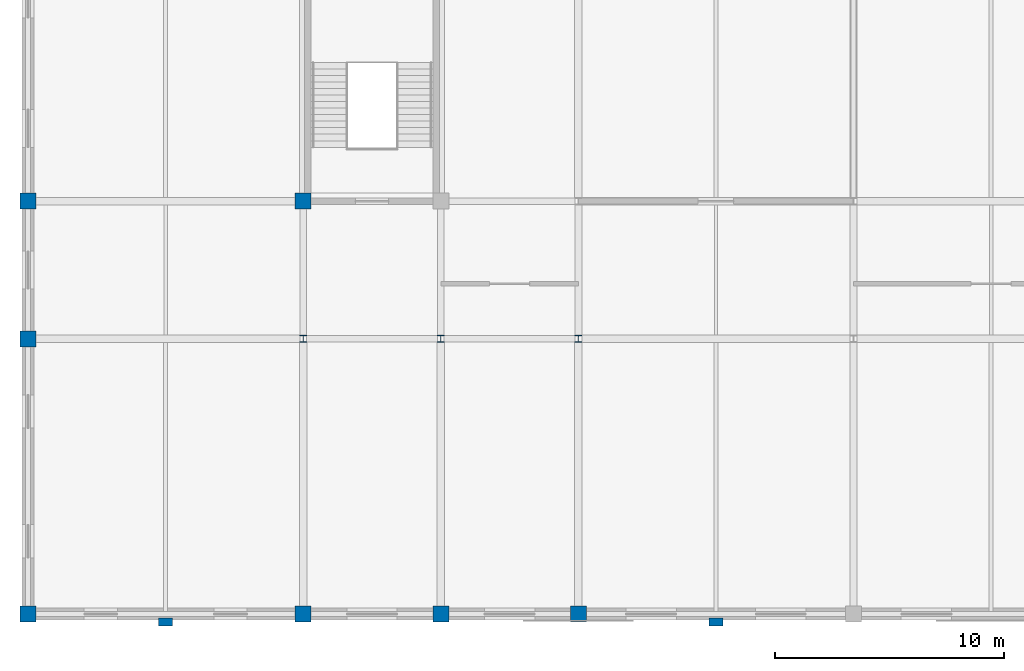
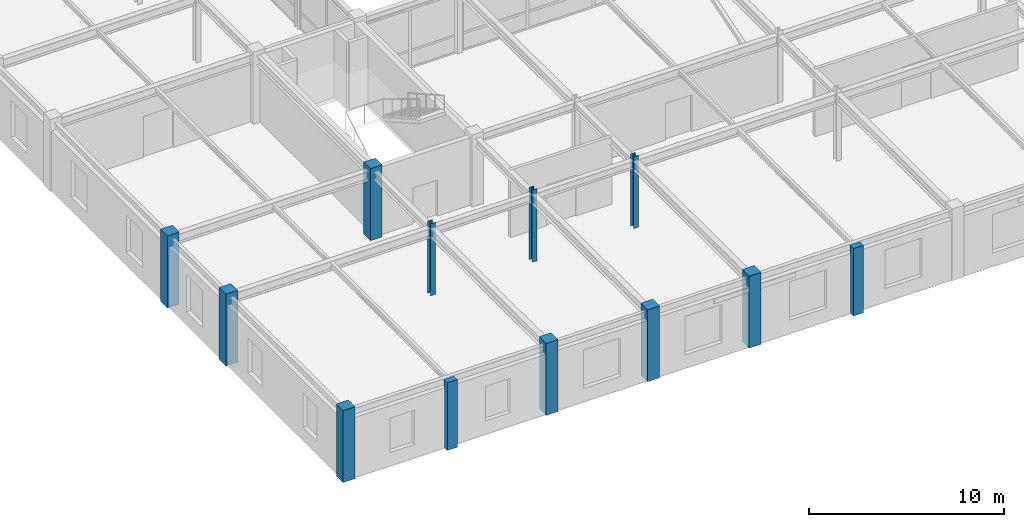
# One storey, part 1 of 108: 12 columns.
"""IFC4 building model written with IfcOpenShell, lengths in metres."""

from ifc_helpers import new_model, si_unit, direction, frame, origin, origin_2d, place, context, subcontext, project, spatial, rectangle, i_section, extrude, material, material_profile, profile_set, type_object, element, save


model = new_model("IFC4")

# Units and contexts
model_context = context("Model", 3, precision=1e-05, world=origin(), true_north=direction((0.0, 1.0)))
body_context = subcontext(model_context, "Body", "Model", "MODEL_VIEW")
ifc_project = project(units=[si_unit("LENGTHUNIT", "METRE"), si_unit("AREAUNIT", "SQUARE_METRE"), si_unit("VOLUMEUNIT", "CUBIC_METRE"), si_unit("PLANEANGLEUNIT", "RADIAN"), si_unit("MASSUNIT", "GRAM", prefix="KILO")], contexts=[model_context])

# Site, building, storey
site_placement = place(None, origin())
site = spatial("IfcSite", under=ifc_project, at=site_placement, CompositionType="ELEMENT")
building_placement = place(site_placement, origin())
building = spatial("IfcBuilding", under=site, at=building_placement, Name="Zlatovratsky Civic Hall", CompositionType="ELEMENT")
storey_placement = place(building_placement, frame((0.0, 0.0, 12.0)))
storey = spatial("IfcBuildingStorey", under=building, at=storey_placement, Name="L03", CompositionType="ELEMENT", Elevation=12.0)

# Columns
ifc_material_1 = material(Name="Concrete C35/45 (B40)", Category="concrete")
ifc_material_profile_1 = material_profile(ifc_material_1, rectangle(XDim=0.699951171875, YDim=0.699951171875, at=origin_2d()), Name="RC 700x700")
ifc_profile_set_1 = profile_set([ifc_material_profile_1], Name="Concrete C35/45 (B40)")
column_type_1 = type_object("IfcColumnType", Name="Col_CorePier_RC700", PredefinedType="COLUMN", material=ifc_profile_set_1)
for number, where, z_axis, x_axis, name in (
    (1, (0.0, 0.0, 0.0), (0.0, 0.0, 1.0), (1.0, 0.0, 0.0), "CL-1189"),
    (2, (12.0, 0.0, 0.0), (0.0, 0.0, 1.0), (1.0, 0.0, 0.0), "CL-1190"),
    (3, (18.0, 0.0, 0.0), (0.0, 0.0, 1.0), (1.0, 0.0, 0.0), "CL-1191"),
    (4, (24.0, 0.0, 0.0), (0.0, 0.0, 1.0), (1.0, 0.0, 0.0), "CL-1192"),
    (5, (0.0, 12.0, 0.0), (0.0, 0.0, 1.0), (1.0, 0.0, 0.0), "CL-1203"),
    (6, (0.0, 18.0, 0.0), (0.0, 0.0, 1.0), (1.0, 0.0, 0.0), "CL-1226"),
    (7, (12.0, 18.0, 0.0), (0.0, 0.0, 1.0), (1.0, 0.0, 0.0), "CL-1227"),
):
    element("IfcColumn", number, at=place(storey_placement, frame(where, z_axis=z_axis, x_axis=x_axis)), inside=storey, type_object=column_type_1, Name=name, PredefinedType="COLUMN", context=body_context, shape_type="SweptSolid", body=[
        extrude(rectangle(XDim=0.699951171875, YDim=0.699951171875, at=origin_2d()), origin(), (0.0, 0.0, 1.0), 4.5),
    ])
ifc_material_2 = material(Name="Steel S355", Category="steel")
ifc_material_profile_2 = material_profile(ifc_material_2, i_section(OverallWidth=0.299072265625, OverallDepth=0.2958984375, WebThickness=0.009033203125, FlangeThickness=0.013916015625, FilletRadius=0.01806640625, at=origin_2d()), Name="30K1")
ifc_profile_set_2 = profile_set([ifc_material_profile_2], Name="Steel S355")
column_type_2 = type_object("IfcColumnType", Name="Col_Steel_30K1", PredefinedType="COLUMN", material=ifc_profile_set_2)
for number, where, z_axis, x_axis, name in (
    (8, (12.0, 12.0, 0.0), (0.0, 0.0, 1.0), (1.0, 0.0, 0.0), "CL-1204"),
    (9, (18.0, 12.0, 0.0), (0.0, 0.0, 1.0), (1.0, 0.0, 0.0), "CL-1205"),
    (10, (24.0, 12.0, 0.0), (0.0, 0.0, 1.0), (1.0, 0.0, 0.0), "CL-1206"),
):
    element("IfcColumn", number, at=place(storey_placement, frame(where, z_axis=z_axis, x_axis=x_axis)), inside=storey, type_object=column_type_2, Name=name, PredefinedType="COLUMN", context=body_context, shape_type="SweptSolid", body=[
        extrude(i_section(OverallWidth=0.299072265625, OverallDepth=0.2958984375, WebThickness=0.009033203125, FlangeThickness=0.013916015625, FilletRadius=0.01806640625, at=origin_2d()), origin(), (0.0, 0.0, 1.0), 4.5),
    ])
ifc_material_profile_3 = material_profile(ifc_material_1, rectangle(XDim=0.60009765625, YDim=0.360107421875, at=origin_2d()), Name="RC 600x360")
ifc_profile_set_3 = profile_set([ifc_material_profile_3], Name="Concrete C35/45 (B40)")
column_type_3 = type_object("IfcColumnType", Name="Pilaster_Classical_RC600x360", PredefinedType="PILASTER", material=ifc_profile_set_3)
for number, where, z_axis, x_axis, name in (
    (11, (6.0, -0.35009765625, 0.0), (0.0, 0.0, 1.0), (1.0, 0.0, 0.0), "CL-2739"),
    (12, (30.0, -0.35009765625, 0.0), (0.0, 0.0, 1.0), (1.0, 0.0, 0.0), "CL-2740"),
):
    element("IfcColumn", number, at=place(storey_placement, frame(where, z_axis=z_axis, x_axis=x_axis)), inside=storey, type_object=column_type_3, Name=name, PredefinedType="PILASTER", context=body_context, shape_type="SweptSolid", body=[
        extrude(rectangle(XDim=0.60009765625, YDim=0.360107421875, at=origin_2d()), origin(), (0.0, 0.0, 1.0), 4.219970703125),
    ])

save(model, "model.ifc")
